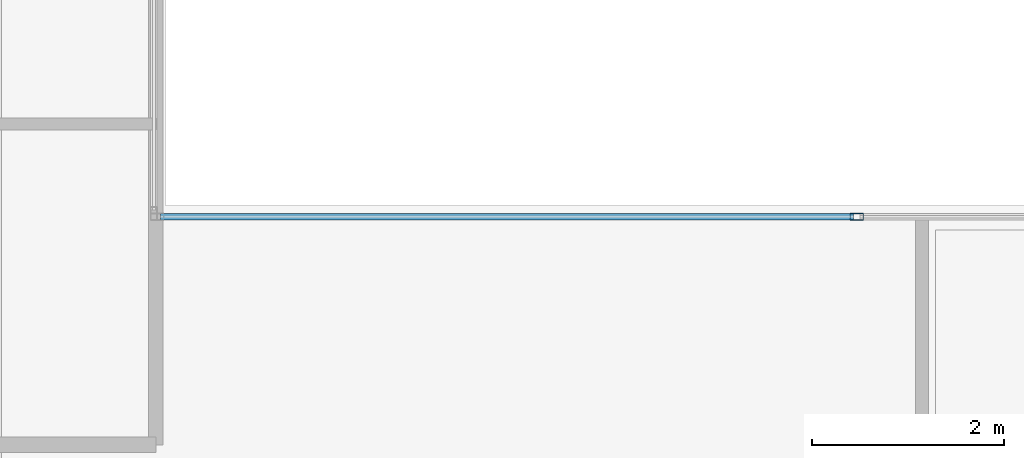
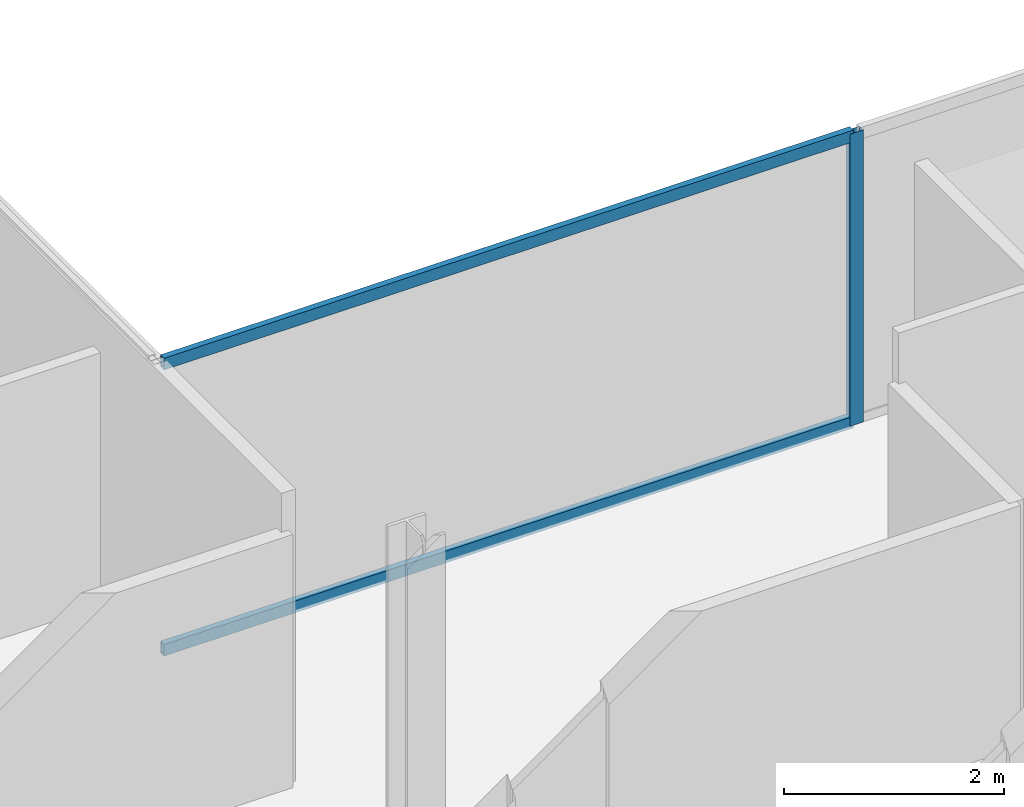
# One storey, part 9 of 23: 3 members, 1 element without a shape of its own.
"""IFC4 building model written with IfcOpenShell, lengths in metres."""

from ifc_helpers import new_model, si_unit, direction, frame, origin, origin_2d, place, context, subcontext, project, spatial, hollow_rectangle, extrude, material, material_profile, profile_set, type_object, element, aggregate, save


model = new_model("IFC4")

# Units and contexts
model_context = context("Model", 3, precision=1e-05, world=origin(), true_north=direction((0.0, 1.0)))
body_context = subcontext(model_context, "Body", "Model", "MODEL_VIEW")
ifc_project = project(units=[si_unit("LENGTHUNIT", "METRE"), si_unit("AREAUNIT", "SQUARE_METRE"), si_unit("VOLUMEUNIT", "CUBIC_METRE"), si_unit("PLANEANGLEUNIT", "RADIAN"), si_unit("MASSUNIT", "GRAM", prefix="KILO")], contexts=[model_context])

# Site, building, storey
site_placement = place(None, origin())
site = spatial("IfcSite", under=ifc_project, at=site_placement, CompositionType="ELEMENT")
building_placement = place(site_placement, origin())
building = spatial("IfcBuilding", under=site, at=building_placement, Name="Cobrela Telecom Tower", CompositionType="ELEMENT")
storey_placement = place(building_placement, frame((0.0, 0.0, 262.14990234375)))
storey = spatial("IfcBuildingStorey", under=building, at=storey_placement, Name="L68", CompositionType="ELEMENT", Elevation=262.14990234375)

# Curtain wall, members
ifc_material = material(Name="Anodized Bronze Aluminium 6063-T6", Category="aluminium")
curtain_wall_type = type_object("IfcCurtainWallType", Name="CW-SYS-OFF-HI", PredefinedType="USERDEFINED", material=ifc_material)
curtain_wall_placement = place(storey_placement, origin())
curtain_wall = element("IfcCurtainWall", 1, at=curtain_wall_placement, inside=storey, type_object=curtain_wall_type, Name="L68 Unitised Bronze Curtain Wall 09", ObjectType="UNITISED CURTAIN WALL", PredefinedType="USERDEFINED")
ifc_material_profile_1 = material_profile(ifc_material, hollow_rectangle(XDim=0.070068359375, YDim=0.139892578125, WallThickness=0.00390625, at=origin_2d()), Name="ALU 70x140x4")
ifc_profile_set_1 = profile_set([ifc_material_profile_1], Name="Anodized Bronze Aluminium 6063-T6")
member_type_1 = type_object("IfcMemberType", Name="CW-SYS-OFF-HI-MUL", PredefinedType="MULLION", material=ifc_profile_set_1)
member_1_placement = place(storey_placement, frame((28.216552734375, 25.080078125, 0.0), z_axis=(0.0, 0.0, 1.0), x_axis=(0.0, 1.0, 0.0)))
member_1 = element("IfcMember", 2, at=member_1_placement, type_object=member_type_1, Name="CW-OFF-HI mullion 2", PredefinedType="MULLION", context=body_context, shape_type="SweptSolid", body=[
    extrude(hollow_rectangle(XDim=0.070068359375, YDim=0.139892578125, WallThickness=0.00390625, at=origin_2d()), origin(), (0.0, 0.0, 1.0), 3.239990234375),
])
ifc_material_profile_2 = material_profile(ifc_material, hollow_rectangle(XDim=0.06494140625, YDim=0.1298828125, WallThickness=0.00390625, at=origin_2d()), Name="ALU 65x130x4")
ifc_profile_set_2 = profile_set([ifc_material_profile_2], Name="Anodized Bronze Aluminium 6063-T6")
member_type_2 = type_object("IfcMemberType", Name="CW-SYS-OFF-HI-TRN", PredefinedType="USERDEFINED", material=ifc_profile_set_2)
member_2_placement = place(storey_placement, frame((20.949951171875, 25.080078125, 0.03271484375), z_axis=(1.0, 0.0, 0.0), x_axis=(0.0, 1.0, 0.0)))
member_2 = element("IfcMember", 3, at=member_2_placement, type_object=member_type_2, Name="CW-OFF-HI transom 1.1", ObjectType="TRANSOM", PredefinedType="USERDEFINED", context=body_context, shape_type="SweptSolid", body=[
    extrude(hollow_rectangle(XDim=0.06494140625, YDim=0.1298828125, WallThickness=0.00390625, at=origin_2d()), origin(), (0.0, 0.0, 1.0), 7.231689453125),
])
member_3_placement = place(storey_placement, frame((20.949951171875, 25.080078125, 3.20751953125), z_axis=(1.0, 0.0, 0.0), x_axis=(0.0, 1.0, 0.0)))
member_3 = element("IfcMember", 4, at=member_3_placement, type_object=member_type_2, Name="CW-OFF-HI transom 1.2", ObjectType="TRANSOM", PredefinedType="USERDEFINED", context=body_context, shape_type="SweptSolid", body=[
    extrude(hollow_rectangle(XDim=0.06494140625, YDim=0.1298828125, WallThickness=0.00390625, at=origin_2d()), origin(), (0.0, 0.0, 1.0), 7.231689453125),
])
aggregate(curtain_wall, [member_1, member_2, member_3])

save(model, "model.ifc")
